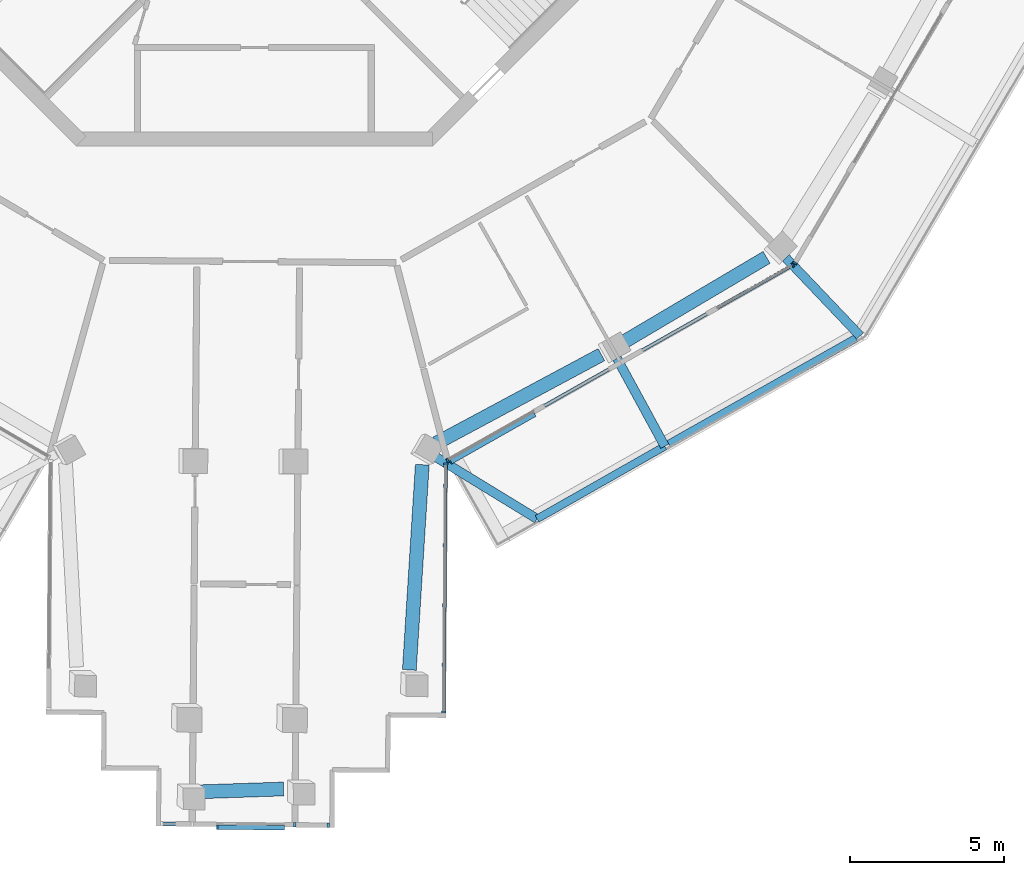
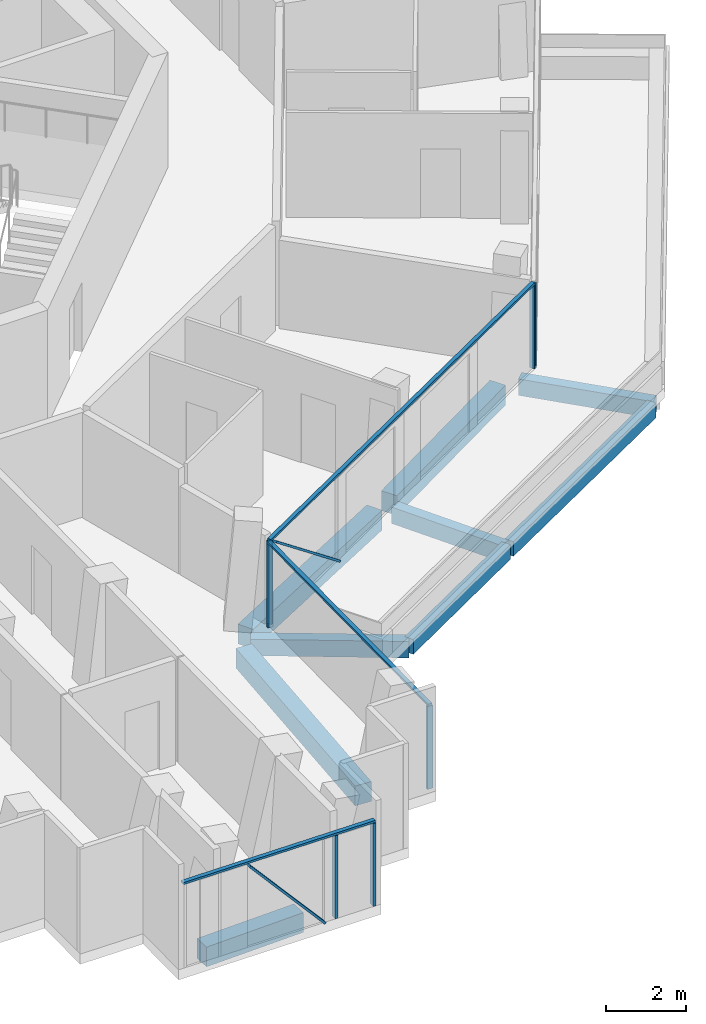
# One storey, part 4 of 24: 12 members, 9 beams, 4 elements without a shape of their own.
"""IFC4 building model written with IfcOpenShell, lengths in metres."""

import ifcopenshell
import ifcopenshell.guid

model = None  # the IFC model being written
_history = None  # IfcOwnerHistory: only IFC2X3 demands one
_inside = {}  # id of a spatial element -> (the spatial element, [elements in it])
_under = {}  # id of a project, library or spatial element -> (it, [spatial elements below it])
_declared = {}  # id of a project -> (the project, [libraries it declares])
_typed = {}  # id of a type object -> (the type object, [elements of that type])
_made_of = {}  # id of a material, layer set ... -> (it, [elements and type objects made of it])


def new_model(schema):
    """Start an empty IFC model of exactly this schema.

    Asked for "IFC4X3", IfcOpenShell would pick the latest addendum, in which some entities
    have other attributes; the version numbers below select the first issue.
    IFC2X3 requires an IfcOwnerHistory on every rooted entity: one is made here for all.
    """
    global model, _history
    if schema == "IFC4X3":
        model = ifcopenshell.file(schema_version=(4, 3, 0, 0))
    else:
        model = ifcopenshell.file(schema=schema)
    _inside.clear()
    _under.clear()
    _declared.clear()
    _typed.clear()
    _made_of.clear()
    _history = None
    if model.schema == "IFC2X3":
        org = make("IfcOrganization", Name="unknown")
        user = make(
            "IfcPersonAndOrganization",
            ThePerson=make("IfcPerson", FamilyName="unknown"),
            TheOrganization=org,
        )
        app = make(
            "IfcApplication",
            ApplicationDeveloper=org,
            Version="unknown",
            ApplicationFullName="unknown",
            ApplicationIdentifier="unknown",
        )
        _history = make(
            "IfcOwnerHistory",
            OwningUser=user,
            OwningApplication=app,
            ChangeAction="ADDED",
            CreationDate=0,
        )
    return model


def make(cls, **values):
    """One entity of the class cls with the attributes given. An attribute that is None is left unset."""
    return model.create_entity(
        cls, **{name: value for name, value in values.items() if value is not None}
    )


def rooted(cls, **values):
    """An entity with a GlobalId (a new one), such as an element, a storey or a relation."""
    return make(cls, GlobalId=ifcopenshell.guid.new(), OwnerHistory=_history, **values)


def si_unit(unit_type, name, prefix=None):
    """IfcSIUnit, for example si_unit("LENGTHUNIT", "METRE", prefix="MILLI")."""
    return make("IfcSIUnit", UnitType=unit_type, Prefix=prefix, Name=name)


def assignment(units):
    """IfcUnitAssignment: the units of a project."""
    return None if units is None else make("IfcUnitAssignment", Units=units)


def point(xyz):
    """IfcCartesianPoint."""
    return None if xyz is None else make("IfcCartesianPoint", Coordinates=xyz)


def direction(xyz):
    """IfcDirection."""
    return None if xyz is None else make("IfcDirection", DirectionRatios=xyz)


def frame(location, z_axis=None, x_axis=None):
    """IfcAxis2Placement3D, a coordinate frame: its origin and axes. An axis left out is left unset."""
    return make(
        "IfcAxis2Placement3D",
        Location=point(location),
        Axis=direction(z_axis),
        RefDirection=direction(x_axis),
    )


def frame_2d(location, x_axis=None):
    """IfcAxis2Placement2D, a coordinate frame in the plane: its origin and x axis."""
    return make(
        "IfcAxis2Placement2D", Location=point(location), RefDirection=direction(x_axis)
    )


def origin():
    """The frame at (0, 0, 0) with its axes left unset."""
    return frame((0.0, 0.0, 0.0))


def origin_2d():
    """The frame at (0, 0) in the plane with its x axis left unset."""
    return frame_2d((0.0, 0.0))


def place(relative_to, where):
    """IfcLocalPlacement: puts the frame where relative to a parent placement (None: the world)."""
    return make(
        "IfcLocalPlacement", PlacementRelTo=relative_to, RelativePlacement=where
    )


def context(
    kind, dimensions, precision=None, world=None, true_north=None, identifier=None
):
    """IfcGeometricRepresentationContext, for example the 3D "Model" context."""
    return make(
        "IfcGeometricRepresentationContext",
        ContextIdentifier=identifier,
        ContextType=kind,
        CoordinateSpaceDimension=dimensions,
        Precision=precision,
        WorldCoordinateSystem=world,
        TrueNorth=true_north,
    )


def subcontext(parent, identifier, kind, view, scale=None):
    """IfcGeometricRepresentationSubContext, for example "Body" below "Model"."""
    return make(
        "IfcGeometricRepresentationSubContext",
        ContextIdentifier=identifier,
        ContextType=kind,
        ParentContext=parent,
        TargetScale=scale,
        TargetView=view,
    )


def project(units=None, contexts=None):
    """IfcProject with its units and contexts."""
    return rooted(
        "IfcProject",
        Name="project",
        RepresentationContexts=contexts,
        UnitsInContext=assignment(units),
    )


def spatial(cls, under=None, at=None, **own):
    """A site, building, storey or space (cls), placed at a placement, below another one or the project."""
    s = rooted(cls, ObjectPlacement=at, **own)
    if under is not None:
        _under.setdefault(under.id(), (under, []))[1].append(s)
    return s


def profile(cls, at=None, kind="AREA", **sizes):
    """A parametric profile (cls). Its sizes go by their IFC names, for example OverallWidth=200.0."""
    return make(cls, ProfileType=kind, Position=at, **sizes)


def rectangle(**sizes):
    """IfcRectangleProfileDef."""
    return profile("IfcRectangleProfileDef", **sizes)


def extrude(swept, where, along, depth):
    """IfcExtrudedAreaSolid: the profile swept, set in the frame where, extruded along a direction by depth."""
    return make(
        "IfcExtrudedAreaSolid",
        SweptArea=swept,
        Position=where,
        ExtrudedDirection=direction(along),
        Depth=depth,
    )


def shape(context_of_items, identifier, shape_type, items):
    """IfcShapeRepresentation: the items that make up one representation, for example the "Body"."""
    return make(
        "IfcShapeRepresentation",
        ContextOfItems=context_of_items,
        RepresentationIdentifier=identifier,
        RepresentationType=shape_type,
        Items=items,
    )


def material(Name=None, Category=None):
    """IfcMaterial."""
    return make("IfcMaterial", Name=Name, Category=Category)


def layer(
    of_material, thickness, ventilated=None, Name=None, Category=None, Priority=None
):
    """IfcMaterialLayer: one layer of a wall or slab, of a material (None: an air gap)."""
    return make(
        "IfcMaterialLayer",
        Material=of_material,
        LayerThickness=thickness,
        IsVentilated=ventilated,
        Name=Name,
        Category=Category,
        Priority=Priority,
    )


def layer_set(layers, Name=None):
    """IfcMaterialLayerSet."""
    return make("IfcMaterialLayerSet", MaterialLayers=layers, LayerSetName=Name)


def material_profile(
    of_material, cross_section, Name=None, Category=None, Priority=None
):
    """IfcMaterialProfile: a cross section and its material."""
    return make(
        "IfcMaterialProfile",
        Name=Name,
        Material=of_material,
        Profile=cross_section,
        Priority=Priority,
        Category=Category,
    )


def profile_set(profiles, Name=None, composite=None):
    """IfcMaterialProfileSet."""
    return make(
        "IfcMaterialProfileSet",
        Name=Name,
        MaterialProfiles=profiles,
        CompositeProfile=composite,
    )


def made_of(thing, what):
    """Note that an element or type object is made of a material, layer set ...; save() writes the relation."""
    if what is not None:
        _made_of.setdefault(what.id(), (what, []))[1].append(thing)
    return thing


def type_object(cls, material=None, **own):
    """A type object (cls), such as IfcWallType, which elements share."""
    return made_of(rooted(cls, **own), material)


def element(
    cls,
    number,
    at=None,
    inside=None,
    cuts=None,
    type_object=None,
    material=None,
    context=None,
    identifier="Body",
    shape_type=None,
    held_by="IfcProductDefinitionShape",
    body=None,
    shapes=None,
    **own,
):
    """One element of the class cls, such as IfcWall. Its Tag is "e" and its number.

    at: its placement. inside: the storey or other place that contains it. cuts: it is an
    opening in that element (IfcRelVoidsElement). A single representation is given by context,
    identifier, shape_type and body (its items); several are given by shapes. held_by: the class
    of the entity that holds the representations. save() writes the other relations.
    """
    e = rooted(cls, Tag="e%d" % number, ObjectPlacement=at, **own)
    if body is not None:
        shapes = [shape(context, identifier, shape_type, body)]
    if shapes is not None:
        e.Representation = make(held_by, Representations=shapes)
    if inside is not None:
        _inside.setdefault(inside.id(), (inside, []))[1].append(e)
    if cuts is not None:
        rooted(
            "IfcRelVoidsElement", RelatingBuildingElement=cuts, RelatedOpeningElement=e
        )
    if type_object is not None:
        _typed.setdefault(type_object.id(), (type_object, []))[1].append(e)
    return made_of(e, material)


def aggregate(whole, parts):
    """IfcRelAggregates: a whole, such as a stair, and the parts it consists of."""
    return rooted("IfcRelAggregates", RelatingObject=whole, RelatedObjects=parts)


def save(model, path):
    """Write the relations noted so far, then the file.

    IfcRelAggregates (storeys below a building ...), IfcRelContainedInSpatialStructure (elements
    in a storey), IfcRelDefinesByType, IfcRelAssociatesMaterial and IfcRelDeclares: one each for
    every whole, place, type object, material and project.
    """
    for whole, parts in _under.values():
        aggregate(whole, parts)
    for where, things in _inside.values():
        rooted(
            "IfcRelContainedInSpatialStructure",
            RelatedElements=things,
            RelatingStructure=where,
        )
    for kind, things in _typed.values():
        rooted("IfcRelDefinesByType", RelatedObjects=things, RelatingType=kind)
    for what, things in _made_of.values():
        rooted("IfcRelAssociatesMaterial", RelatedObjects=things, RelatingMaterial=what)
    for by, libraries in _declared.values():
        rooted("IfcRelDeclares", RelatingContext=by, RelatedDefinitions=libraries)
    model.write(path)


model = new_model("IFC4")

# Units and contexts
model_context = context("Model", 3, precision=1e-05, world=origin(), true_north=direction((0.0, 1.0)))
body_context = subcontext(model_context, "Body", "Model", "MODEL_VIEW")
ifc_project = project(units=[si_unit("LENGTHUNIT", "METRE"), si_unit("AREAUNIT", "SQUARE_METRE"), si_unit("VOLUMEUNIT", "CUBIC_METRE"), si_unit("PLANEANGLEUNIT", "RADIAN"), si_unit("MASSUNIT", "GRAM", prefix="KILO")], contexts=[model_context])

# Site, building, storey
site_placement = place(None, origin())
site = spatial("IfcSite", under=ifc_project, at=site_placement, CompositionType="ELEMENT")
building_placement = place(site_placement, origin())
building = spatial("IfcBuilding", under=site, at=building_placement, Name="Verdalira Terraces Hotel", CompositionType="ELEMENT")
storey_placement = place(building_placement, frame((0.0, 0.0, 277.5)))
storey = spatial("IfcBuildingStorey", under=building, at=storey_placement, Name="L68", CompositionType="ELEMENT", Elevation=277.5)

# Beams
ifc_material_1 = material(Name="Concrete C40", Category="concrete")
ifc_material_profile_1 = material_profile(ifc_material_1, rectangle(XDim=0.300049, YDim=0.5, at=origin_2d()), Name="RC 300X500")
ifc_profile_set_1 = profile_set([ifc_material_profile_1], Name="Concrete C40")
beam_type_1 = type_object("IfcBeamType", Name="Balcony cantilever beam RC 300X500 C40", PredefinedType="BEAM", material=ifc_profile_set_1)
beam_1_placement = place(storey_placement, frame((5.823242, -24.069092, -0.560059), z_axis=(0.853193207, -0.521595007, 0.0), x_axis=(0.521595007, 0.853193207, 0.0)))
element("IfcBeam", 1, at=beam_1_placement, inside=storey, type_object=beam_type_1, Name="Balcony cantilever beam R25-1", PredefinedType="BEAM", context=body_context, shape_type="SweptSolid", body=[
    extrude(rectangle(XDim=0.300049, YDim=0.5, at=origin_2d()), origin(), (0.0, 0.0, 1.0), 3.949951),
])
beam_2_placement = place(storey_placement, frame((11.793701, -20.911621, -0.560059), z_axis=(0.478094243, -0.878308542, 0.0), x_axis=(0.878308542, 0.478094243, 0.0)))
element("IfcBeam", 2, at=beam_2_placement, inside=storey, type_object=beam_type_1, Name="Balcony cantilever beam R25-2", PredefinedType="BEAM", context=body_context, shape_type="SweptSolid", body=[
    extrude(rectangle(XDim=0.300049, YDim=0.5, at=origin_2d()), origin(), (0.0, 0.0, 1.0), 3.250732),
])
beam_3_placement = place(storey_placement, frame((17.287109, -17.638916, -0.560059), z_axis=(0.689070032, -0.724694757, 0.0), x_axis=(0.724694757, 0.689070032, 0.0)))
element("IfcBeam", 3, at=beam_3_placement, inside=storey, type_object=beam_type_1, Name="Balcony cantilever beam R25-3", PredefinedType="BEAM", context=body_context, shape_type="SweptSolid", body=[
    extrude(rectangle(XDim=0.300049, YDim=0.5, at=origin_2d()), origin(), (0.0, 0.0, 1.0), 3.501953),
])
ifc_material_2 = material(Name="Concrete C40", Category="concrete")
ifc_material_profile_2 = material_profile(ifc_material_2, rectangle(XDim=0.25, YDim=0.449951, at=origin_2d()), Name="RC 250X450")
ifc_profile_set_2 = profile_set([ifc_material_profile_2], Name="Concrete C40")
beam_type_2 = type_object("IfcBeamType", Name="Balcony edge beam RC 250X450 C40", PredefinedType="BEAM", material=ifc_profile_set_2)
beam_4_placement = place(storey_placement, frame((9.193359, -26.129395, -0.534912), z_axis=(0.869275485, 0.494327959, 0.0), x_axis=(-0.494327959, 0.869275485, 0.0)))
element("IfcBeam", 4, at=beam_4_placement, inside=storey, type_object=beam_type_2, Name="Balcony edge beam R25-1", PredefinedType="BEAM", context=body_context, shape_type="SweptSolid", body=[
    extrude(rectangle(XDim=0.25, YDim=0.449951, at=origin_2d()), origin(), (0.0, 0.0, 1.0), 4.779297),
])
beam_5_placement = place(storey_placement, frame((13.478516, -23.693115, -0.534912), z_axis=(0.870571293, 0.4920423, 0.0), x_axis=(-0.4920423, 0.870571293, 0.0)))
element("IfcBeam", 5, at=beam_5_placement, inside=storey, type_object=beam_type_2, Name="Balcony edge beam R25-2", PredefinedType="BEAM", context=body_context, shape_type="SweptSolid", body=[
    extrude(rectangle(XDim=0.25, YDim=0.449951, at=origin_2d()), origin(), (0.0, 0.0, 1.0), 6.992188),
])

# Curtain wall, members
ifc_material_3 = material(Name="Clear glass", Category="glass")
ifc_layer_1 = layer(ifc_material_3, 0.14990234375)
ifc_layer_set_1 = layer_set([ifc_layer_1], Name="CW1 curtain wall")
curtain_wall_type_1 = type_object("IfcCurtainWallType", Name="CW1 curtain wall", PredefinedType="NOTDEFINED", material=ifc_layer_set_1)
curtain_wall_1_placement = place(storey_placement, origin())
curtain_wall_1 = element("IfcCurtainWall", 6, at=curtain_wall_1_placement, inside=storey, type_object=curtain_wall_type_1, Name="CW1 curtain wall L68 edge 25", PredefinedType="NOTDEFINED")
ifc_material_4 = material(Name="Terracotta frame", Category="masonry")
ifc_material_profile_3 = material_profile(ifc_material_4, rectangle(XDim=0.060059, YDim=0.149902, at=origin_2d()), Name="MU 60x150")
ifc_profile_set_3 = profile_set([ifc_material_profile_3], Name="Terracotta frame")
member_type_1 = type_object("IfcMemberType", Name="CW1 mullion 60x150", PredefinedType="MULLION", material=ifc_profile_set_3)
member_1_placement = place(storey_placement, frame((6.285645, -24.231934, 0.0), z_axis=(0.0, 0.0, 1.0), x_axis=(0.870183755, 0.492727342, 0.0)))
member_1 = element("IfcMember", 7, at=member_1_placement, type_object=member_type_1, Name="CW1 mullion", PredefinedType="MULLION", context=body_context, shape_type="SweptSolid", body=[
    extrude(rectangle(XDim=0.060059, YDim=0.149902, at=origin_2d()), origin(), (0.0, 0.0, 1.0), 2.524902),
])
member_2_placement = place(storey_placement, frame((17.510986, -17.875732, 0.0), z_axis=(0.0, 0.0, 1.0), x_axis=(0.870183755, 0.492727342, 0.0)))
member_2 = element("IfcMember", 8, at=member_2_placement, type_object=member_type_1, Name="CW1 mullion", PredefinedType="MULLION", context=body_context, shape_type="SweptSolid", body=[
    extrude(rectangle(XDim=0.060059, YDim=0.149902, at=origin_2d()), origin(), (0.0, 0.0, 1.0), 2.524902),
])

# Curtain wall, member
curtain_wall_2_placement = place(storey_placement, origin())
curtain_wall_2 = element("IfcCurtainWall", 9, at=curtain_wall_2_placement, inside=storey, type_object=curtain_wall_type_1, Name="CW1 curtain wall L68 edge 26", PredefinedType="NOTDEFINED")
member_3_placement = place(storey_placement, frame((17.579834, -17.807861, 0.0), z_axis=(0.0, 0.0, 1.0), x_axis=(0.507237567, 0.861806272, 0.0)))
member_3 = element("IfcMember", 10, at=member_3_placement, type_object=member_type_1, Name="CW1 mullion", PredefinedType="MULLION", context=body_context, shape_type="SweptSolid", body=[
    extrude(rectangle(XDim=0.060059, YDim=0.149902, at=origin_2d()), origin(), (0.0, 0.0, 1.0), 2.524902),
])
aggregate(curtain_wall_2, [member_3])

# Member
ifc_material_5 = material(Name="Terracotta frame", Category="masonry")
ifc_material_profile_4 = material_profile(ifc_material_5, rectangle(XDim=0.110107, YDim=0.064941, at=origin_2d()), Name="TR 65x110")
ifc_profile_set_4 = profile_set([ifc_material_profile_4], Name="Terracotta frame")
member_type_2 = type_object("IfcMemberType", Name="CW1 transom 65x110", PredefinedType="USERDEFINED", material=ifc_profile_set_4)
member_4_placement = place(storey_placement, frame((6.259521, -24.246582, 2.557617), z_axis=(0.87019209, 0.492712621, 0.0), x_axis=(-0.492712621, 0.87019209, 0.0)))
member_4 = element("IfcMember", 11, at=member_4_placement, type_object=member_type_2, Name="CW1 transom", ObjectType="TRANSOM", PredefinedType="USERDEFINED", context=body_context, shape_type="SweptSolid", body=[
    extrude(rectangle(XDim=0.110107, YDim=0.064941, at=origin_2d()), origin(), (0.0, 0.0, 1.0), 12.959961),
])

# Curtain wall, members
ifc_material_6 = material(Name="Clear glass", Category="glass")
ifc_layer_2 = layer(ifc_material_6, 0.14990234375)
ifc_layer_set_2 = layer_set([ifc_layer_2], Name="CW2 curtain wall")
curtain_wall_type_2 = type_object("IfcCurtainWallType", Name="CW2 curtain wall", PredefinedType="NOTDEFINED", material=ifc_layer_set_2)
curtain_wall_3_placement = place(storey_placement, origin())
curtain_wall_3 = element("IfcCurtainWall", 12, at=curtain_wall_3_placement, inside=storey, type_object=curtain_wall_type_2, Name="CW2 curtain wall L68 edge 24", PredefinedType="NOTDEFINED")
ifc_material_7 = material(Name="Terracotta frame", Category="masonry")
ifc_material_profile_5 = material_profile(ifc_material_7, rectangle(XDim=0.070068, YDim=0.149902, at=origin_2d()), Name="MU 70x150")
ifc_profile_set_5 = profile_set([ifc_material_profile_5], Name="Terracotta frame")
member_type_3 = type_object("IfcMemberType", Name="CW2 mullion 70x150", PredefinedType="MULLION", material=ifc_profile_set_5)
member_5_placement = place(storey_placement, frame((6.153564, -32.414062, 0.0), z_axis=(0.0, 0.0, 1.0), x_axis=(0.008377482, 0.999964908, 0.0)))
member_5 = element("IfcMember", 13, at=member_5_placement, type_object=member_type_3, Name="CW2 mullion", PredefinedType="MULLION", context=body_context, shape_type="SweptSolid", body=[
    extrude(rectangle(XDim=0.070068, YDim=0.149902, at=origin_2d()), origin(), (0.0, 0.0, 1.0), 2.524902),
])
member_6_placement = place(storey_placement, frame((6.221191, -24.346191, 0.0), z_axis=(0.0, 0.0, 1.0), x_axis=(0.008377482, 0.999964908, 0.0)))
member_6 = element("IfcMember", 14, at=member_6_placement, type_object=member_type_3, Name="CW2 mullion", PredefinedType="MULLION", context=body_context, shape_type="SweptSolid", body=[
    extrude(rectangle(XDim=0.070068, YDim=0.149902, at=origin_2d()), origin(), (0.0, 0.0, 1.0), 2.524902),
])
ifc_material_8 = material(Name="Terracotta frame", Category="masonry")
ifc_material_profile_6 = material_profile(ifc_material_8, rectangle(XDim=0.11499, YDim=0.064941, at=origin_2d()), Name="TR 65x115")
ifc_profile_set_6 = profile_set([ifc_material_profile_6], Name="Terracotta frame")
member_type_4 = type_object("IfcMemberType", Name="CW2 transom 65x115", PredefinedType="USERDEFINED", material=ifc_profile_set_6)
member_7_placement = place(storey_placement, frame((6.15332, -32.448975, 2.557617), z_axis=(0.008370042, 0.999964971, 0.0), x_axis=(-0.999964971, 0.008370042, 0.0)))
member_7 = element("IfcMember", 15, at=member_7_placement, type_object=member_type_4, Name="CW2 transom", ObjectType="TRANSOM", PredefinedType="USERDEFINED", context=body_context, shape_type="SweptSolid", body=[
    extrude(rectangle(XDim=0.11499, YDim=0.064941, at=origin_2d()), origin(), (0.0, 0.0, 1.0), 8.137939),
])
aggregate(curtain_wall_3, [member_5, member_6, member_7])

ifc_material_9 = material(Name="Clear glass", Category="glass")
ifc_layer_3 = layer(ifc_material_9, 0.14990234375)
ifc_layer_set_3 = layer_set([ifc_layer_3], Name="CW3 curtain wall")
curtain_wall_type_3 = type_object("IfcCurtainWallType", Name="CW3 curtain wall", PredefinedType="NOTDEFINED", material=ifc_layer_set_3)
curtain_wall_4_placement = place(storey_placement, origin())
curtain_wall_4 = element("IfcCurtainWall", 16, at=curtain_wall_4_placement, inside=storey, type_object=curtain_wall_type_3, Name="CW3 curtain wall L68 edge 19", PredefinedType="NOTDEFINED")
ifc_material_10 = material(Name="Terracotta frame", Category="masonry")
ifc_material_profile_7 = material_profile(ifc_material_10, rectangle(XDim=0.080078, YDim=0.149902, at=origin_2d()), Name="MU 80x150")
ifc_profile_set_7 = profile_set([ifc_material_profile_7], Name="Terracotta frame")
member_type_5 = type_object("IfcMemberType", Name="CW3 mullion 80x150", PredefinedType="MULLION", material=ifc_profile_set_7)
member_8_placement = place(storey_placement, frame((1.315918, -36.08374, 0.0), z_axis=(0.0, 0.0, 1.0), x_axis=(0.999964908, -0.008377482, 0.0)))
member_8 = element("IfcMember", 17, at=member_8_placement, type_object=member_type_5, Name="CW3 mullion", PredefinedType="MULLION", context=body_context, shape_type="SweptSolid", body=[
    extrude(rectangle(XDim=0.080078, YDim=0.149902, at=origin_2d()), origin(), (0.0, 0.0, 1.0), 2.524902),
])
member_9_placement = place(storey_placement, frame((2.407715, -36.092773, 0.0), z_axis=(0.0, 0.0, 1.0), x_axis=(0.999964908, -0.008377482, 0.0)))
member_9 = element("IfcMember", 18, at=member_9_placement, type_object=member_type_5, Name="CW3 mullion", PredefinedType="MULLION", context=body_context, shape_type="SweptSolid", body=[
    extrude(rectangle(XDim=0.080078, YDim=0.149902, at=origin_2d()), origin(), (0.0, 0.0, 1.0), 2.524902),
])
ifc_material_11 = material(Name="Terracotta frame", Category="masonry")
ifc_material_profile_8 = material_profile(ifc_material_11, rectangle(XDim=0.120117, YDim=0.064941, at=origin_2d()), Name="TR 65x120")
ifc_profile_set_8 = profile_set([ifc_material_profile_8], Name="Terracotta frame")
member_type_6 = type_object("IfcMemberType", Name="CW3 transom 65x120", PredefinedType="USERDEFINED", material=ifc_profile_set_8)
member_10_placement = place(storey_placement, frame((-3.052002, -36.047119, 2.557617), z_axis=(0.999964806, -0.008389637, 0.0), x_axis=(0.008389637, 0.999964806, 0.0)))
member_10 = element("IfcMember", 19, at=member_10_placement, type_object=member_type_6, Name="CW3 transom", ObjectType="TRANSOM", PredefinedType="USERDEFINED", context=body_context, shape_type="SweptSolid", body=[
    extrude(rectangle(XDim=0.120117, YDim=0.064941, at=origin_2d()), origin(), (0.0, 0.0, 1.0), 5.5),
])
ifc_material_12 = material(Name="Terracotta frame", Category="masonry")
ifc_material_profile_9 = material_profile(ifc_material_12, rectangle(XDim=0.149902, YDim=0.060059, at=origin_2d()), Name="GB 60x150")
ifc_profile_set_9 = profile_set([ifc_material_profile_9], Name="Terracotta frame")
member_type_7 = type_object("IfcMemberType", Name="Diagonal glazing bar 60x150", PredefinedType="USERDEFINED", material=ifc_profile_set_9)
member_11_placement = place(storey_placement, frame((-1.206787, -36.155518, 2.497559), z_axis=(0.657893694, -0.005507878, -0.753090666), x_axis=(0.008371694, 0.999964957, 0.0)))
member_11 = element("IfcMember", 20, at=member_11_placement, type_object=member_type_7, Name="Diagonal glazing bar", ObjectType="GLAZING BAR", PredefinedType="USERDEFINED", context=body_context, shape_type="SweptSolid", body=[
    extrude(rectangle(XDim=0.149902, YDim=0.060059, at=origin_2d()), origin(), (0.0, 0.0, 1.0), 3.280029),
])
aggregate(curtain_wall_4, [member_8, member_9, member_10, member_11])

# Member
member_12_placement = place(storey_placement, frame((6.382812, -24.279053, 2.500244), z_axis=(0.682308084, 0.386296431, -0.620669595), x_axis=(-0.492679652, 0.870210756, 0.0)))
member_12 = element("IfcMember", 21, at=member_12_placement, type_object=member_type_7, Name="Diagonal glazing bar", ObjectType="GLAZING BAR", PredefinedType="USERDEFINED", context=body_context, shape_type="SweptSolid", body=[
    extrude(rectangle(XDim=0.149902, YDim=0.060059, at=origin_2d()), origin(), (0.0, 0.0, 1.0), 3.988525),
])

aggregate(curtain_wall_1, [member_1, member_2, member_4, member_12])

# Beams
ifc_material_13 = material(Name="Concrete C40", Category="concrete")
ifc_material_profile_10 = material_profile(ifc_material_13, rectangle(XDim=0.449951, YDim=0.600098, at=origin_2d()), Name="RC 450X600")
ifc_profile_set_10 = profile_set([ifc_material_profile_10], Name="Concrete C40")
beam_type_3 = type_object("IfcBeamType", Name="Spandrel beam RC 450X600 C40", PredefinedType="SPANDREL", material=ifc_profile_set_10)
beam_6_placement = place(storey_placement, frame((-1.89502, -35.009277, -0.610107), z_axis=(0.999445002, 0.033311972, 0.0), x_axis=(-0.033311972, 0.999445002, 0.0)))
element("IfcBeam", 22, at=beam_6_placement, inside=storey, type_object=beam_type_3, Name="Spandrel beam B11", PredefinedType="SPANDREL", context=body_context, shape_type="SweptSolid", body=[
    extrude(rectangle(XDim=0.449951, YDim=0.600098, at=origin_2d()), origin(), (0.0, 0.0, 1.0), 2.843506),
])
beam_7_placement = place(storey_placement, frame((5.039307, -31.041504, -0.610107), z_axis=(0.062964567, 0.998015763, 0.0), x_axis=(-0.998015763, 0.062964567, 0.0)))
element("IfcBeam", 23, at=beam_7_placement, inside=storey, type_object=beam_type_3, Name="Spandrel beam B12", PredefinedType="SPANDREL", context=body_context, shape_type="SweptSolid", body=[
    extrude(rectangle(XDim=0.449951, YDim=0.600098, at=origin_2d()), origin(), (0.0, 0.0, 1.0), 6.688477),
])
beam_8_placement = place(storey_placement, frame((5.912354, -23.667969, -0.610107), z_axis=(0.881348984, 0.472465838, 0.0), x_axis=(-0.472465838, 0.881348984, 0.0)))
element("IfcBeam", 24, at=beam_8_placement, inside=storey, type_object=beam_type_3, Name="Spandrel beam B13", PredefinedType="SPANDREL", context=body_context, shape_type="SweptSolid", body=[
    extrude(rectangle(XDim=0.449951, YDim=0.600098, at=origin_2d()), origin(), (0.0, 0.0, 1.0), 6.097412),
])
beam_9_placement = place(storey_placement, frame((11.908447, -20.436035, -0.610107), z_axis=(0.860513392, 0.509427819, 0.0), x_axis=(-0.509427819, 0.860513392, 0.0)))
element("IfcBeam", 25, at=beam_9_placement, inside=storey, type_object=beam_type_3, Name="Spandrel beam B14", PredefinedType="SPANDREL", context=body_context, shape_type="SweptSolid", body=[
    extrude(rectangle(XDim=0.449951, YDim=0.600098, at=origin_2d()), origin(), (0.0, 0.0, 1.0), 5.521484),
])

save(model, "model.ifc")
